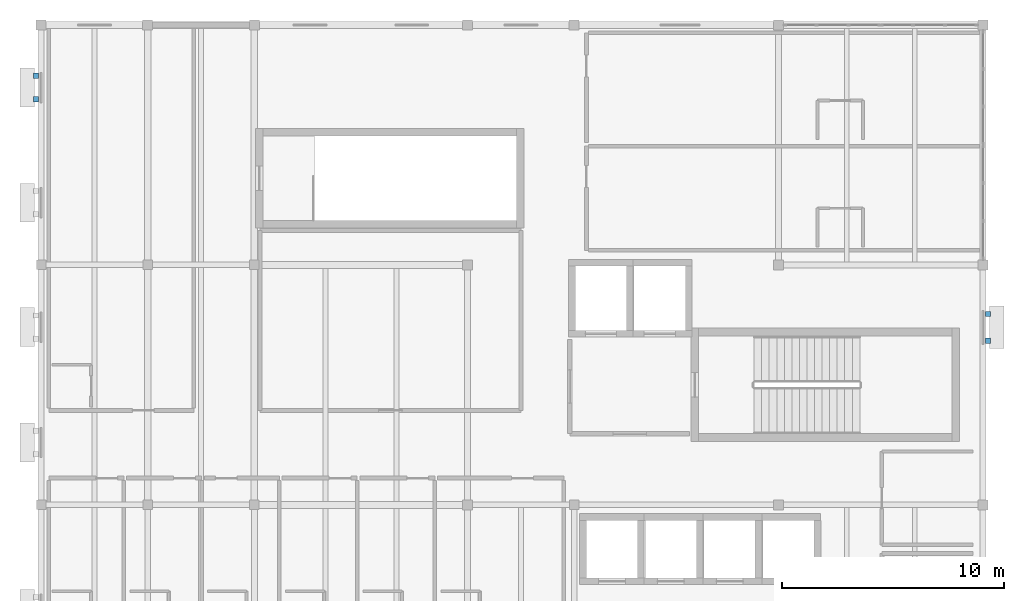
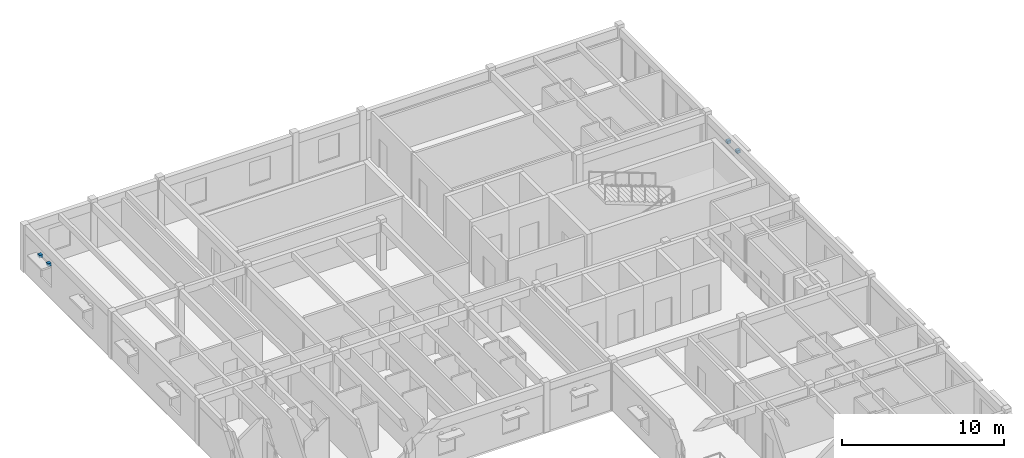
# One storey, part 14 of 17: 4 discrete accessories.
"""IFC4 building model written with IfcOpenShell, lengths in metres."""

from ifc_helpers import new_model, si_unit, direction, frame, origin, origin_2d, place, context, subcontext, project, spatial, rectangle, extrude, material, type_object, element, save


model = new_model("IFC4")

# Units and contexts
model_context = context("Model", 3, precision=1e-05, world=origin(), true_north=direction((0.0, 1.0)))
body_context = subcontext(model_context, "Body", "Model", "MODEL_VIEW")
ifc_project = project(units=[si_unit("LENGTHUNIT", "METRE"), si_unit("AREAUNIT", "SQUARE_METRE"), si_unit("VOLUMEUNIT", "CUBIC_METRE"), si_unit("PLANEANGLEUNIT", "RADIAN"), si_unit("MASSUNIT", "GRAM", prefix="KILO")], contexts=[model_context])

# Site, building, storey
site_placement = place(None, origin())
site = spatial("IfcSite", under=ifc_project, at=site_placement, CompositionType="ELEMENT")
building_placement = place(site_placement, origin())
building = spatial("IfcBuilding", under=site, at=building_placement, Name="Veldera Park Congress Hotel", CompositionType="ELEMENT")
storey_placement = place(building_placement, frame((0.0, 0.0, 35.199951171875)))
storey = spatial("IfcBuildingStorey", under=building, at=storey_placement, Name="L08", CompositionType="ELEMENT", Elevation=35.199951171875)

# Discrete accessories
ifc_material = material(Name="Steel ASTM A992 Gr.50", Category="steel")
discrete_accessory_type = type_object("IfcDiscreteAccessoryType", Name="ACC-BRK160", PredefinedType="BRACKET", material=ifc_material)
for number, where, z_axis, x_axis, name in (
    (1, (84.22998046875, 43.78857421875, 2.56982421875), (0.0, 0.0, 1.0), (0.0, 1.0, 0.0), "Shading Steel Outrigger Bracket 216L"),
    (2, (84.22998046875, 44.988525390625, 2.56982421875), (0.0, 0.0, 1.0), (0.0, 1.0, 0.0), "Shading Steel Outrigger Bracket 216R"),
    (3, (41.3701171875, 55.709716796875, 2.47021484375), (0.0, 0.0, 1.0), (0.0, -1.0, 0.0), "Shading Steel Outrigger Bracket 217L"),
    (4, (41.3701171875, 54.659912109375, 2.47021484375), (0.0, 0.0, 1.0), (0.0, -1.0, 0.0), "Shading Steel Outrigger Bracket 217R"),
):
    element("IfcDiscreteAccessory", number, at=place(storey_placement, frame(where, z_axis=z_axis, x_axis=x_axis)), inside=storey, type_object=discrete_accessory_type, Name=name, PredefinedType="BRACKET", context=body_context, shape_type="SweptSolid", body=[
        extrude(rectangle(XDim=0.239990234375, YDim=0.239990234375, at=origin_2d()), origin(), (0.0, 0.0, 1.0), 0.219970703125),
    ])

save(model, "model.ifc")
